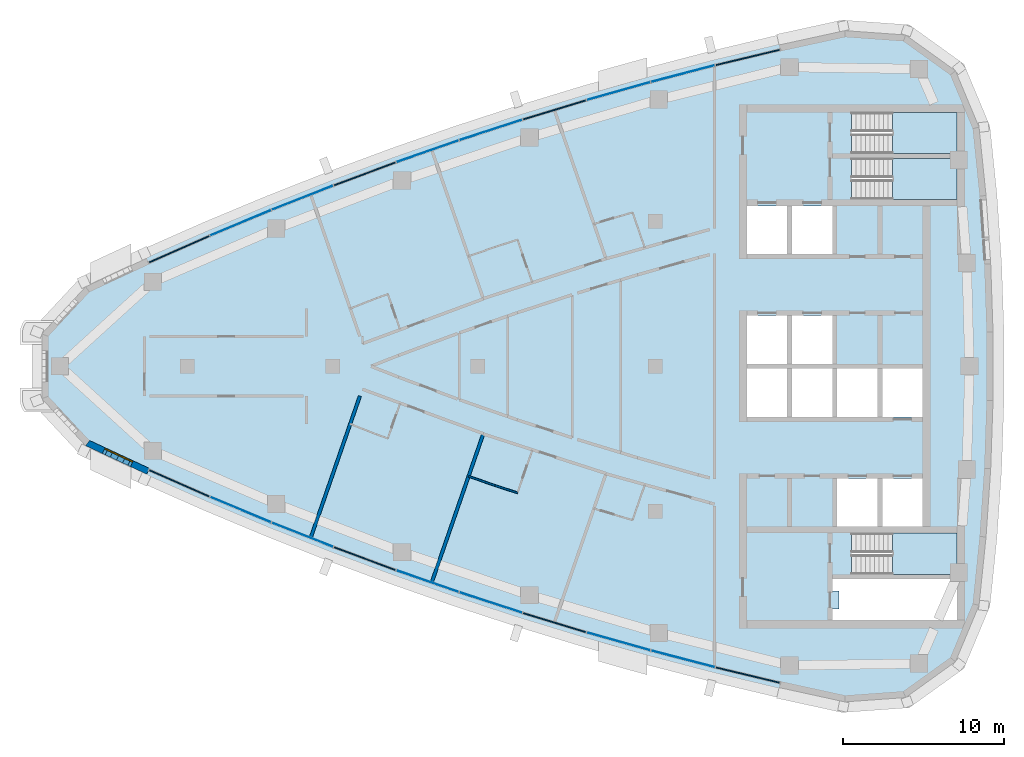
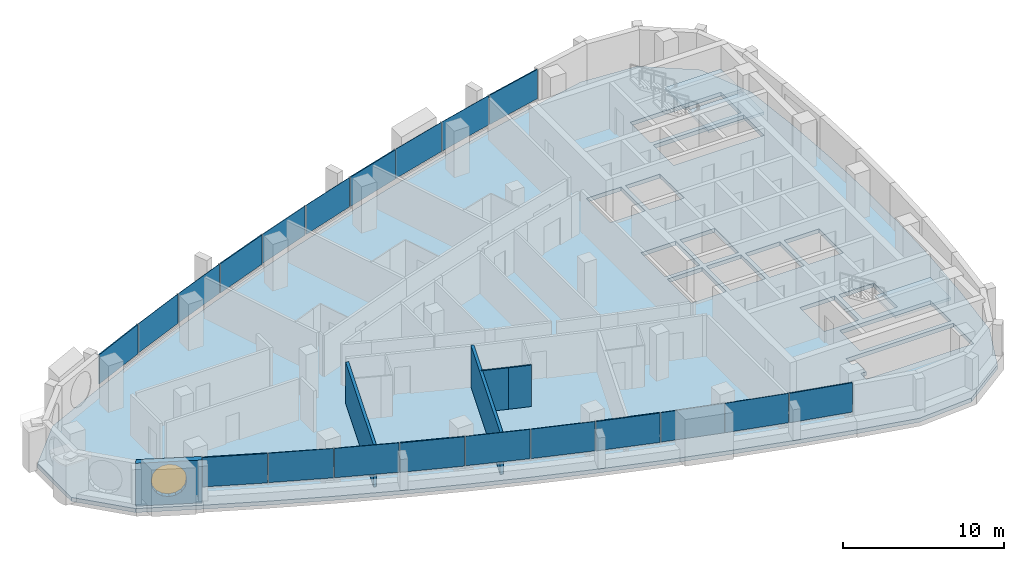
# One storey, part 6 of 14: 20 plates, 5 walls, 4 slabs, 1 window, 2 openings, 13 elements without a shape of their own.
"""IFC4 building model written with IfcOpenShell, lengths in metres."""

import ifcopenshell
import ifcopenshell.guid

model = None  # the IFC model being written
_history = None  # IfcOwnerHistory: only IFC2X3 demands one
_inside = {}  # id of a spatial element -> (the spatial element, [elements in it])
_under = {}  # id of a project, library or spatial element -> (it, [spatial elements below it])
_declared = {}  # id of a project -> (the project, [libraries it declares])
_typed = {}  # id of a type object -> (the type object, [elements of that type])
_made_of = {}  # id of a material, layer set ... -> (it, [elements and type objects made of it])


def new_model(schema):
    """Start an empty IFC model of exactly this schema.

    Asked for "IFC4X3", IfcOpenShell would pick the latest addendum, in which some entities
    have other attributes; the version numbers below select the first issue.
    IFC2X3 requires an IfcOwnerHistory on every rooted entity: one is made here for all.
    """
    global model, _history
    if schema == "IFC4X3":
        model = ifcopenshell.file(schema_version=(4, 3, 0, 0))
    else:
        model = ifcopenshell.file(schema=schema)
    _inside.clear()
    _under.clear()
    _declared.clear()
    _typed.clear()
    _made_of.clear()
    _history = None
    if model.schema == "IFC2X3":
        org = make("IfcOrganization", Name="unknown")
        user = make(
            "IfcPersonAndOrganization",
            ThePerson=make("IfcPerson", FamilyName="unknown"),
            TheOrganization=org,
        )
        app = make(
            "IfcApplication",
            ApplicationDeveloper=org,
            Version="unknown",
            ApplicationFullName="unknown",
            ApplicationIdentifier="unknown",
        )
        _history = make(
            "IfcOwnerHistory",
            OwningUser=user,
            OwningApplication=app,
            ChangeAction="ADDED",
            CreationDate=0,
        )
    return model


def make(cls, **values):
    """One entity of the class cls with the attributes given. An attribute that is None is left unset."""
    return model.create_entity(
        cls, **{name: value for name, value in values.items() if value is not None}
    )


def rooted(cls, **values):
    """An entity with a GlobalId (a new one), such as an element, a storey or a relation."""
    return make(cls, GlobalId=ifcopenshell.guid.new(), OwnerHistory=_history, **values)


def si_unit(unit_type, name, prefix=None):
    """IfcSIUnit, for example si_unit("LENGTHUNIT", "METRE", prefix="MILLI")."""
    return make("IfcSIUnit", UnitType=unit_type, Prefix=prefix, Name=name)


def assignment(units):
    """IfcUnitAssignment: the units of a project."""
    return None if units is None else make("IfcUnitAssignment", Units=units)


def point(xyz):
    """IfcCartesianPoint."""
    return None if xyz is None else make("IfcCartesianPoint", Coordinates=xyz)


def direction(xyz):
    """IfcDirection."""
    return None if xyz is None else make("IfcDirection", DirectionRatios=xyz)


def frame(location, z_axis=None, x_axis=None):
    """IfcAxis2Placement3D, a coordinate frame: its origin and axes. An axis left out is left unset."""
    return make(
        "IfcAxis2Placement3D",
        Location=point(location),
        Axis=direction(z_axis),
        RefDirection=direction(x_axis),
    )


def frame_2d(location, x_axis=None):
    """IfcAxis2Placement2D, a coordinate frame in the plane: its origin and x axis."""
    return make(
        "IfcAxis2Placement2D", Location=point(location), RefDirection=direction(x_axis)
    )


def origin():
    """The frame at (0, 0, 0) with its axes left unset."""
    return frame((0.0, 0.0, 0.0))


def origin_2d():
    """The frame at (0, 0) in the plane with its x axis left unset."""
    return frame_2d((0.0, 0.0))


def place(relative_to, where):
    """IfcLocalPlacement: puts the frame where relative to a parent placement (None: the world)."""
    return make(
        "IfcLocalPlacement", PlacementRelTo=relative_to, RelativePlacement=where
    )


def context(
    kind, dimensions, precision=None, world=None, true_north=None, identifier=None
):
    """IfcGeometricRepresentationContext, for example the 3D "Model" context."""
    return make(
        "IfcGeometricRepresentationContext",
        ContextIdentifier=identifier,
        ContextType=kind,
        CoordinateSpaceDimension=dimensions,
        Precision=precision,
        WorldCoordinateSystem=world,
        TrueNorth=true_north,
    )


def subcontext(parent, identifier, kind, view, scale=None):
    """IfcGeometricRepresentationSubContext, for example "Body" below "Model"."""
    return make(
        "IfcGeometricRepresentationSubContext",
        ContextIdentifier=identifier,
        ContextType=kind,
        ParentContext=parent,
        TargetScale=scale,
        TargetView=view,
    )


def project(units=None, contexts=None):
    """IfcProject with its units and contexts."""
    return rooted(
        "IfcProject",
        Name="project",
        RepresentationContexts=contexts,
        UnitsInContext=assignment(units),
    )


def spatial(cls, under=None, at=None, **own):
    """A site, building, storey or space (cls), placed at a placement, below another one or the project."""
    s = rooted(cls, ObjectPlacement=at, **own)
    if under is not None:
        _under.setdefault(under.id(), (under, []))[1].append(s)
    return s


def polyline(points):
    """IfcPolyline through the points."""
    return make("IfcPolyline", Points=[point(p) for p in points])


def profile(cls, at=None, kind="AREA", **sizes):
    """A parametric profile (cls). Its sizes go by their IFC names, for example OverallWidth=200.0."""
    return make(cls, ProfileType=kind, Position=at, **sizes)


def rectangle(**sizes):
    """IfcRectangleProfileDef."""
    return profile("IfcRectangleProfileDef", **sizes)


def outline(outer, holes=None, kind="AREA"):
    """IfcArbitraryClosedProfileDef: a profile drawn as a closed curve; with holes, ...WithVoids."""
    if holes is None:
        return make("IfcArbitraryClosedProfileDef", ProfileType=kind, OuterCurve=outer)
    return make(
        "IfcArbitraryProfileDefWithVoids",
        ProfileType=kind,
        OuterCurve=outer,
        InnerCurves=holes,
    )


def extrude(swept, where, along, depth):
    """IfcExtrudedAreaSolid: the profile swept, set in the frame where, extruded along a direction by depth."""
    return make(
        "IfcExtrudedAreaSolid",
        SweptArea=swept,
        Position=where,
        ExtrudedDirection=direction(along),
        Depth=depth,
    )


def shape(context_of_items, identifier, shape_type, items):
    """IfcShapeRepresentation: the items that make up one representation, for example the "Body"."""
    return make(
        "IfcShapeRepresentation",
        ContextOfItems=context_of_items,
        RepresentationIdentifier=identifier,
        RepresentationType=shape_type,
        Items=items,
    )


def material(Name=None, Category=None):
    """IfcMaterial."""
    return make("IfcMaterial", Name=Name, Category=Category)


def layer(
    of_material, thickness, ventilated=None, Name=None, Category=None, Priority=None
):
    """IfcMaterialLayer: one layer of a wall or slab, of a material (None: an air gap)."""
    return make(
        "IfcMaterialLayer",
        Material=of_material,
        LayerThickness=thickness,
        IsVentilated=ventilated,
        Name=Name,
        Category=Category,
        Priority=Priority,
    )


def layer_set(layers, Name=None):
    """IfcMaterialLayerSet."""
    return make("IfcMaterialLayerSet", MaterialLayers=layers, LayerSetName=Name)


def made_of(thing, what):
    """Note that an element or type object is made of a material, layer set ...; save() writes the relation."""
    if what is not None:
        _made_of.setdefault(what.id(), (what, []))[1].append(thing)
    return thing


def type_object(cls, material=None, **own):
    """A type object (cls), such as IfcWallType, which elements share."""
    return made_of(rooted(cls, **own), material)


def element(
    cls,
    number,
    at=None,
    inside=None,
    cuts=None,
    type_object=None,
    material=None,
    context=None,
    identifier="Body",
    shape_type=None,
    held_by="IfcProductDefinitionShape",
    body=None,
    shapes=None,
    **own,
):
    """One element of the class cls, such as IfcWall. Its Tag is "e" and its number.

    at: its placement. inside: the storey or other place that contains it. cuts: it is an
    opening in that element (IfcRelVoidsElement). A single representation is given by context,
    identifier, shape_type and body (its items); several are given by shapes. held_by: the class
    of the entity that holds the representations. save() writes the other relations.
    """
    e = rooted(cls, Tag="e%d" % number, ObjectPlacement=at, **own)
    if body is not None:
        shapes = [shape(context, identifier, shape_type, body)]
    if shapes is not None:
        e.Representation = make(held_by, Representations=shapes)
    if inside is not None:
        _inside.setdefault(inside.id(), (inside, []))[1].append(e)
    if cuts is not None:
        rooted(
            "IfcRelVoidsElement", RelatingBuildingElement=cuts, RelatedOpeningElement=e
        )
    if type_object is not None:
        _typed.setdefault(type_object.id(), (type_object, []))[1].append(e)
    return made_of(e, material)


def fill(opening, filler):
    """IfcRelFillsElement: the door or window that sits in an opening."""
    return rooted(
        "IfcRelFillsElement",
        RelatingOpeningElement=opening,
        RelatedBuildingElement=filler,
    )


def aggregate(whole, parts):
    """IfcRelAggregates: a whole, such as a stair, and the parts it consists of."""
    return rooted("IfcRelAggregates", RelatingObject=whole, RelatedObjects=parts)


def save(model, path):
    """Write the relations noted so far, then the file.

    IfcRelAggregates (storeys below a building ...), IfcRelContainedInSpatialStructure (elements
    in a storey), IfcRelDefinesByType, IfcRelAssociatesMaterial and IfcRelDeclares: one each for
    every whole, place, type object, material and project.
    """
    for whole, parts in _under.values():
        aggregate(whole, parts)
    for where, things in _inside.values():
        rooted(
            "IfcRelContainedInSpatialStructure",
            RelatedElements=things,
            RelatingStructure=where,
        )
    for kind, things in _typed.values():
        rooted("IfcRelDefinesByType", RelatedObjects=things, RelatingType=kind)
    for what, things in _made_of.values():
        rooted("IfcRelAssociatesMaterial", RelatedObjects=things, RelatingMaterial=what)
    for by, libraries in _declared.values():
        rooted("IfcRelDeclares", RelatingContext=by, RelatedDefinitions=libraries)
    model.write(path)


model = new_model("IFC4")

# Units and contexts
model_context = context("Model", 3, precision=1e-05, world=origin(), true_north=direction((0.0, 1.0)))
body_context = subcontext(model_context, "Body", "Model", "MODEL_VIEW")
ifc_project = project(units=[si_unit("LENGTHUNIT", "METRE"), si_unit("AREAUNIT", "SQUARE_METRE"), si_unit("VOLUMEUNIT", "CUBIC_METRE"), si_unit("PLANEANGLEUNIT", "RADIAN"), si_unit("MASSUNIT", "GRAM", prefix="KILO")], contexts=[model_context])

# Site, building, storey
site_placement = place(None, origin())
site = spatial("IfcSite", under=ifc_project, at=site_placement, CompositionType="ELEMENT")
building_placement = place(site_placement, origin())
building = spatial("IfcBuilding", under=site, at=building_placement, Name="Ostrand Prow Hotel Tower", CompositionType="ELEMENT")
storey_placement = place(building_placement, frame((0.0, 0.0, 299.85009765625)))
storey = spatial("IfcBuildingStorey", under=building, at=storey_placement, Name="L76", CompositionType="ELEMENT", Elevation=299.85009765625)

# Curtain wall, plate
ifc_material_1 = material(Name="Insulated glass in bronze anodised frame", Category="glass")
ifc_layer_1 = layer(ifc_material_1, 0.199951171875)
ifc_layer_set_1 = layer_set([ifc_layer_1], Name="Insulated glass in bronze anodised frame")
curtain_wall_type = type_object("IfcCurtainWallType", Name="Strip curtain wall, fritted glass over bronze spandrel", PredefinedType="NOTDEFINED", material=ifc_layer_set_1)
curtain_wall_1_placement = place(storey_placement, origin())
curtain_wall_1 = element("IfcCurtainWall", 1, at=curtain_wall_1_placement, inside=storey, type_object=curtain_wall_type, Name="CW1 run CWS1", PredefinedType="NOTDEFINED")
ifc_material_2 = material(Name="Ceramic-fritted glass", Category="glass")
ifc_layer_2 = layer(ifc_material_2, 0.031982421875)
ifc_layer_set_2 = layer_set([ifc_layer_2], Name="Ceramic-fritted glass")
plate_type_1 = type_object("IfcPlateType", Name="Dot-fritted ceramic glass unit 32 mm", PredefinedType="CURTAIN_PANEL", material=ifc_layer_set_2)
plate_1_placement = place(storey_placement, frame((19.297119140625, -8.893798828125, 1.02001953125), z_axis=(0.0, 0.0, 1.0), x_axis=(0.922719840955, -0.385471263659, 0.0)))
plate_1 = element("IfcPlate", 2, at=plate_1_placement, type_object=plate_type_1, Name="CW1 PN-D panel 2.2", PredefinedType="CURTAIN_PANEL", context=body_context, shape_type="SweptSolid", body=[
    extrude(rectangle(XDim=4.079833984375, YDim=0.031982421875, at=origin_2d()), origin(), (0.0, 0.0, 1.0), 2.22998046875),
])

curtain_wall_2_placement = place(storey_placement, origin())
curtain_wall_2 = element("IfcCurtainWall", 3, at=curtain_wall_2_placement, inside=storey, type_object=curtain_wall_type, Name="CW1 run CWS2", PredefinedType="NOTDEFINED")
plate_2_placement = place(storey_placement, frame((23.132568359375, -10.450927734375, 1.02001953125), z_axis=(0.0, 0.0, 1.0), x_axis=(0.930281895249, -0.366845465248, 0.0)))
plate_2 = element("IfcPlate", 4, at=plate_2_placement, type_object=plate_type_1, Name="CW1 PN-D panel 1.2", PredefinedType="CURTAIN_PANEL", context=body_context, shape_type="SweptSolid", body=[
    extrude(rectangle(XDim=4.079833984375, YDim=0.031982421875, at=origin_2d()), origin(), (0.0, 0.0, 1.0), 2.22998046875),
])

# Curtain wall, plates
curtain_wall_3_placement = place(storey_placement, origin())
curtain_wall_3 = element("IfcCurtainWall", 5, at=curtain_wall_3_placement, inside=storey, type_object=curtain_wall_type, Name="CW1 run CWS3", PredefinedType="NOTDEFINED")
plate_3_placement = place(storey_placement, frame((30.8935546875, -13.33251953125, 1.02001953125), z_axis=(0.0, 0.0, 1.0), x_axis=(0.944274730614, -0.329158370885, 0.0)))
plate_3 = element("IfcPlate", 6, at=plate_3_placement, type_object=plate_type_1, Name="CW1 PN-D panel 1.2", PredefinedType="CURTAIN_PANEL", context=body_context, shape_type="SweptSolid", body=[
    extrude(rectangle(XDim=4.079833984375, YDim=0.031982421875, at=origin_2d()), origin(), (0.0, 0.0, 1.0), 2.22998046875),
])
plate_4_placement = place(storey_placement, frame((34.81591796875, -14.65576171875, 1.02001953125), z_axis=(0.0, 0.0, 1.0), x_axis=(0.950700464612, -0.310110668289, 0.0)))
plate_4 = element("IfcPlate", 7, at=plate_4_placement, type_object=plate_type_1, Name="CW1 PN-D panel 2.2", PredefinedType="CURTAIN_PANEL", context=body_context, shape_type="SweptSolid", body=[
    extrude(rectangle(XDim=4.079833984375, YDim=0.031982421875, at=origin_2d()), origin(), (0.0, 0.0, 1.0), 2.22998046875),
])
aggregate(curtain_wall_3, [plate_3, plate_4])

# Curtain wall, plate
curtain_wall_4_placement = place(storey_placement, origin())
curtain_wall_4 = element("IfcCurtainWall", 8, at=curtain_wall_4_placement, inside=storey, type_object=curtain_wall_type, Name="CW1 run CWS4", PredefinedType="NOTDEFINED")
plate_5_placement = place(storey_placement, frame((42.736572265625, -17.064453125, 1.02001953125), z_axis=(0.0, 0.0, 1.0), x_axis=(0.962396468548, -0.271648738865, 0.0)))
plate_5 = element("IfcPlate", 9, at=plate_5_placement, type_object=plate_type_1, Name="CW1 PN-D panel 2.2", PredefinedType="CURTAIN_PANEL", context=body_context, shape_type="SweptSolid", body=[
    extrude(rectangle(XDim=4.079833984375, YDim=0.031982421875, at=origin_2d()), origin(), (0.0, 0.0, 1.0), 2.22998046875),
])

curtain_wall_5_placement = place(storey_placement, origin())
curtain_wall_5 = element("IfcCurtainWall", 10, at=curtain_wall_5_placement, inside=storey, type_object=curtain_wall_type, Name="CW1 run CWS5", PredefinedType="NOTDEFINED")
plate_6_placement = place(storey_placement, frame((46.731689453125, -18.148681640625, 1.02001953125), z_axis=(0.0, 0.0, 1.0), x_axis=(0.967662519855, -0.252248384867, 0.0)))
plate_6 = element("IfcPlate", 11, at=plate_6_placement, type_object=plate_type_1, Name="CW1 PN-D panel 1.2", PredefinedType="CURTAIN_PANEL", context=body_context, shape_type="SweptSolid", body=[
    extrude(rectangle(XDim=4.079833984375, YDim=0.031982421875, at=origin_2d()), origin(), (0.0, 0.0, 1.0), 2.22998046875),
])

curtain_wall_6_placement = place(storey_placement, origin())
curtain_wall_6 = element("IfcCurtainWall", 12, at=curtain_wall_6_placement, inside=storey, type_object=curtain_wall_type, Name="CW1 run CWN1", PredefinedType="NOTDEFINED")
plate_7_placement = place(storey_placement, frame((46.731689453125, 18.148681640625, 1.02001953125), z_axis=(0.0, 0.0, 1.0), x_axis=(-0.967662519855, -0.252248384867, 0.0)))
plate_7 = element("IfcPlate", 13, at=plate_7_placement, type_object=plate_type_1, Name="CW1 PN-D panel 2.2", PredefinedType="CURTAIN_PANEL", context=body_context, shape_type="SweptSolid", body=[
    extrude(rectangle(XDim=4.079833984375, YDim=0.031982421875, at=origin_2d()), origin(), (0.0, 0.0, 1.0), 2.22998046875),
])

curtain_wall_7_placement = place(storey_placement, origin())
curtain_wall_7 = element("IfcCurtainWall", 14, at=curtain_wall_7_placement, inside=storey, type_object=curtain_wall_type, Name="CW1 run CWN2", PredefinedType="NOTDEFINED")
plate_8_placement = place(storey_placement, frame((42.736572265625, 17.064453125, 1.02001953125), z_axis=(0.0, 0.0, 1.0), x_axis=(-0.962396468548, -0.271648738865, 0.0)))
plate_8 = element("IfcPlate", 15, at=plate_8_placement, type_object=plate_type_1, Name="CW1 PN-D panel 1.2", PredefinedType="CURTAIN_PANEL", context=body_context, shape_type="SweptSolid", body=[
    extrude(rectangle(XDim=4.079833984375, YDim=0.031982421875, at=origin_2d()), origin(), (0.0, 0.0, 1.0), 2.22998046875),
])

# Curtain wall, plates
curtain_wall_8_placement = place(storey_placement, origin())
curtain_wall_8 = element("IfcCurtainWall", 16, at=curtain_wall_8_placement, inside=storey, type_object=curtain_wall_type, Name="CW1 run CWN3", PredefinedType="NOTDEFINED")
plate_9_placement = place(storey_placement, frame((34.81591796875, 14.65576171875, 1.02001953125), z_axis=(0.0, 0.0, 1.0), x_axis=(-0.950700464612, -0.310110668289, 0.0)))
plate_9 = element("IfcPlate", 17, at=plate_9_placement, type_object=plate_type_1, Name="CW1 PN-D panel 1.2", PredefinedType="CURTAIN_PANEL", context=body_context, shape_type="SweptSolid", body=[
    extrude(rectangle(XDim=4.079833984375, YDim=0.031982421875, at=origin_2d()), origin(), (0.0, 0.0, 1.0), 2.22998046875),
])
plate_10_placement = place(storey_placement, frame((30.8935546875, 13.33251953125, 1.02001953125), z_axis=(0.0, 0.0, 1.0), x_axis=(-0.944274730614, -0.329158370885, 0.0)))
plate_10 = element("IfcPlate", 18, at=plate_10_placement, type_object=plate_type_1, Name="CW1 PN-D panel 2.2", PredefinedType="CURTAIN_PANEL", context=body_context, shape_type="SweptSolid", body=[
    extrude(rectangle(XDim=4.079833984375, YDim=0.031982421875, at=origin_2d()), origin(), (0.0, 0.0, 1.0), 2.22998046875),
])
aggregate(curtain_wall_8, [plate_9, plate_10])

# Curtain wall, plate
curtain_wall_9_placement = place(storey_placement, origin())
curtain_wall_9 = element("IfcCurtainWall", 19, at=curtain_wall_9_placement, inside=storey, type_object=curtain_wall_type, Name="CW1 run CWN4", PredefinedType="NOTDEFINED")
plate_11_placement = place(storey_placement, frame((23.132568359375, 10.450927734375, 1.02001953125), z_axis=(0.0, 0.0, 1.0), x_axis=(-0.930281895249, -0.366845465248, 0.0)))
plate_11 = element("IfcPlate", 20, at=plate_11_placement, type_object=plate_type_1, Name="CW1 PN-D panel 2.2", PredefinedType="CURTAIN_PANEL", context=body_context, shape_type="SweptSolid", body=[
    extrude(rectangle(XDim=4.079833984375, YDim=0.031982421875, at=origin_2d()), origin(), (0.0, 0.0, 1.0), 2.22998046875),
])

curtain_wall_10_placement = place(storey_placement, origin())
curtain_wall_10 = element("IfcCurtainWall", 21, at=curtain_wall_10_placement, inside=storey, type_object=curtain_wall_type, Name="CW1 run CWN5", PredefinedType="NOTDEFINED")
plate_12_placement = place(storey_placement, frame((19.297119140625, 8.893798828125, 1.02001953125), z_axis=(0.0, 0.0, 1.0), x_axis=(-0.922719840955, -0.385471263659, 0.0)))
plate_12 = element("IfcPlate", 22, at=plate_12_placement, type_object=plate_type_1, Name="CW1 PN-D panel 1.2", PredefinedType="CURTAIN_PANEL", context=body_context, shape_type="SweptSolid", body=[
    extrude(rectangle(XDim=4.079833984375, YDim=0.031982421875, at=origin_2d()), origin(), (0.0, 0.0, 1.0), 2.22998046875),
])

# Plate
ifc_material_3 = material(Name="Fritted glass in bronze vent frame", Category="glass")
ifc_layer_3 = layer(ifc_material_3, 0.080078125)
ifc_layer_set_3 = layer_set([ifc_layer_3], Name="Fritted glass in bronze vent frame")
plate_type_2 = type_object("IfcPlateType", Name="Operable vent panel 80 mm", PredefinedType="CURTAIN_PANEL", material=ifc_layer_set_3)
plate_13_placement = place(storey_placement, frame((15.493408203125, -7.259765625, 1.02001953125), z_axis=(0.0, 0.0, 1.0), x_axis=(0.914785615941, -0.403939694592, 0.0)))
plate_13 = element("IfcPlate", 23, at=plate_13_placement, type_object=plate_type_2, Name="CW1 PN-O2 panel 1.2", PredefinedType="CURTAIN_PANEL", context=body_context, shape_type="SweptSolid", body=[
    extrude(rectangle(XDim=4.079833984375, YDim=0.080078125, at=origin_2d()), origin(), (0.0, 0.0, 1.0), 2.22998046875),
])

aggregate(curtain_wall_1, [plate_13, plate_1])

plate_14_placement = place(storey_placement, frame((26.99853515625, -11.930908203125, 1.02001953125), z_axis=(0.0, 0.0, 1.0), x_axis=(0.937468017947, -0.348071422738, 0.0)))
plate_14 = element("IfcPlate", 24, at=plate_14_placement, type_object=plate_type_2, Name="CW1 PN-O2 panel 2.2", PredefinedType="CURTAIN_PANEL", context=body_context, shape_type="SweptSolid", body=[
    extrude(rectangle(XDim=4.079833984375, YDim=0.080078125, at=origin_2d()), origin(), (0.0, 0.0, 1.0), 2.22998046875),
])

aggregate(curtain_wall_2, [plate_2, plate_14])

plate_15_placement = place(storey_placement, frame((38.76416015625, -15.89990234375, 1.02001953125), z_axis=(0.0, 0.0, 1.0), x_axis=(0.956742015769, -0.290937648411, 0.0)))
plate_15 = element("IfcPlate", 25, at=plate_15_placement, type_object=plate_type_2, Name="CW1 PN-O2 panel 1.2", PredefinedType="CURTAIN_PANEL", context=body_context, shape_type="SweptSolid", body=[
    extrude(rectangle(XDim=4.079833984375, YDim=0.080078125, at=origin_2d()), origin(), (0.0, 0.0, 1.0), 2.22998046875),
])

aggregate(curtain_wall_4, [plate_15, plate_5])

plate_16_placement = place(storey_placement, frame((50.74755859375, -19.152587890625, 1.02001953125), z_axis=(0.0, 0.0, 1.0), x_axis=(0.972537533869, -0.232746096028, 0.0)))
plate_16 = element("IfcPlate", 26, at=plate_16_placement, type_object=plate_type_2, Name="CW1 PN-O2 panel 2.2", PredefinedType="CURTAIN_PANEL", context=body_context, shape_type="SweptSolid", body=[
    extrude(rectangle(XDim=4.079833984375, YDim=0.080078125, at=origin_2d()), origin(), (0.0, 0.0, 1.0), 2.22998046875),
])

aggregate(curtain_wall_5, [plate_6, plate_16])

plate_17_placement = place(storey_placement, frame((50.74755859375, 19.152587890625, 1.02001953125), z_axis=(0.0, 0.0, 1.0), x_axis=(-0.972537533869, -0.232746096028, 0.0)))
plate_17 = element("IfcPlate", 27, at=plate_17_placement, type_object=plate_type_2, Name="CW1 PN-O2 panel 1.2", PredefinedType="CURTAIN_PANEL", context=body_context, shape_type="SweptSolid", body=[
    extrude(rectangle(XDim=4.079833984375, YDim=0.080078125, at=origin_2d()), origin(), (0.0, 0.0, 1.0), 2.22998046875),
])

aggregate(curtain_wall_6, [plate_17, plate_7])

plate_18_placement = place(storey_placement, frame((38.76416015625, 15.89990234375, 1.02001953125), z_axis=(0.0, 0.0, 1.0), x_axis=(-0.956742015769, -0.290937648411, 0.0)))
plate_18 = element("IfcPlate", 28, at=plate_18_placement, type_object=plate_type_2, Name="CW1 PN-O2 panel 2.2", PredefinedType="CURTAIN_PANEL", context=body_context, shape_type="SweptSolid", body=[
    extrude(rectangle(XDim=4.079833984375, YDim=0.080078125, at=origin_2d()), origin(), (0.0, 0.0, 1.0), 2.22998046875),
])

aggregate(curtain_wall_7, [plate_8, plate_18])

plate_19_placement = place(storey_placement, frame((26.99853515625, 11.930908203125, 1.02001953125), z_axis=(0.0, 0.0, 1.0), x_axis=(-0.937468017947, -0.348071422738, 0.0)))
plate_19 = element("IfcPlate", 29, at=plate_19_placement, type_object=plate_type_2, Name="CW1 PN-O2 panel 1.2", PredefinedType="CURTAIN_PANEL", context=body_context, shape_type="SweptSolid", body=[
    extrude(rectangle(XDim=4.079833984375, YDim=0.080078125, at=origin_2d()), origin(), (0.0, 0.0, 1.0), 2.22998046875),
])

aggregate(curtain_wall_9, [plate_19, plate_11])

plate_20_placement = place(storey_placement, frame((15.493408203125, 7.259765625, 1.02001953125), z_axis=(0.0, 0.0, 1.0), x_axis=(-0.914785615941, -0.403939694592, 0.0)))
plate_20 = element("IfcPlate", 30, at=plate_20_placement, type_object=plate_type_2, Name="CW1 PN-O2 panel 2.2", PredefinedType="CURTAIN_PANEL", context=body_context, shape_type="SweptSolid", body=[
    extrude(rectangle(XDim=4.079833984375, YDim=0.080078125, at=origin_2d()), origin(), (0.0, 0.0, 1.0), 2.22998046875),
])

aggregate(curtain_wall_10, [plate_12, plate_20])

# Slab, opening
ifc_material_4 = material(Name="Concrete C40/50", Category="concrete")
ifc_layer_4 = layer(ifc_material_4, 0.300048828125)
ifc_layer_set_4 = layer_set([ifc_layer_4], Name="Concrete C40/50")
slab_type_1 = type_object("IfcSlabType", Name="PT flat plate 300 C40/50", PredefinedType="FLOOR", material=ifc_layer_set_4)
slab_1_placement = place(storey_placement, frame((0.0, 0.0, -0.300048828125)))
slab_1 = element("IfcSlab", 31, at=slab_1_placement, inside=storey, type_object=slab_type_1, Name="Floor slab L76-1", PredefinedType="FLOOR", context=body_context, shape_type="SweptSolid", body=[
    extrude(outline(polyline([(9.560791015625, 5.168212890625), (13.365478515625, 6.9404296875), (17.1630859375, 8.6171875), (20.993408203125, 10.21728515625), (24.855224609375, 11.740234375), (28.746826171875, 13.185302734375), (32.666748046875, 14.551513671875), (36.61328125, 15.8388671875), (40.5849609375, 17.046630859375), (44.580078125, 18.17431640625), (48.596923828125, 19.221435546875), (52.634033203125, 20.187744140625), (56.72265625, 21.07958984375), (60.634765625, 20.80029296875), (63.84765625, 18.49072265625), (65.35888671875, 14.87060546875), (65.796875, 10.611083984375), (66.0869140625, 6.37158203125), (66.23193359375, 2.124755859375), (66.23193359375, -2.124755859375), (66.0869140625, -6.37158203125), (65.796875, -10.611083984375), (65.35888671875, -14.87060546875), (63.84765625, -18.49072265625), (60.634765625, -20.80029296875), (56.72265625, -21.07958984375), (52.634033203125, -20.187744140625), (48.596923828125, -19.221435546875), (44.580078125, -18.17431640625), (40.5849609375, -17.046630859375), (36.61328125, -15.8388671875), (32.666748046875, -14.551513671875), (28.746826171875, -13.185302734375), (24.855224609375, -11.740234375), (20.993408203125, -10.21728515625), (17.1630859375, -8.6171875), (13.365478515625, -6.9404296875), (9.560791015625, -5.168212890625), (6.71484375, -2.112548828125), (6.71484375, 2.112548828125), (9.560791015625, 5.168212890625)]), holes=[polyline([(50.699951171875, 6.949951171875), (53.199951171875, 6.949951171875), (53.199951171875, 9.949951171875), (50.699951171875, 9.949951171875), (50.699951171875, 6.949951171875)]), polyline([(53.5, 6.949951171875), (56.0, 6.949951171875), (56.0, 9.949951171875), (53.5, 9.949951171875), (53.5, 6.949951171875)]), polyline([(50.699951171875, 0.14990234375), (53.199951171875, 0.14990234375), (53.199951171875, 3.14990234375), (50.699951171875, 3.14990234375), (50.699951171875, 0.14990234375)]), polyline([(53.5, 0.14990234375), (56.0, 0.14990234375), (56.0, 3.14990234375), (53.5, 3.14990234375), (53.5, 0.14990234375)]), polyline([(50.699951171875, -3.14990234375), (53.199951171875, -3.14990234375), (53.199951171875, -0.14990234375), (50.699951171875, -0.14990234375), (50.699951171875, -3.14990234375)]), polyline([(53.5, -3.14990234375), (56.0, -3.14990234375), (56.0, -0.14990234375), (53.5, -0.14990234375), (53.5, -3.14990234375)]), polyline([(56.300048828125, -3.14990234375), (58.800048828125, -3.14990234375), (58.800048828125, -0.14990234375), (56.300048828125, -0.14990234375), (56.300048828125, -3.14990234375)]), polyline([(59.10009765625, -3.14990234375), (61.60009765625, -3.14990234375), (61.60009765625, -0.14990234375), (59.10009765625, -0.14990234375), (59.10009765625, -3.14990234375)]), polyline([(56.300048828125, -9.949951171875), (58.800048828125, -9.949951171875), (58.800048828125, -6.949951171875), (56.300048828125, -6.949951171875), (56.300048828125, -9.949951171875)]), polyline([(59.10009765625, -9.949951171875), (61.60009765625, -9.949951171875), (61.60009765625, -6.949951171875), (59.10009765625, -6.949951171875), (59.10009765625, -9.949951171875)]), polyline([(57.200927734375, 10.35107421875), (57.200927734375, 12.89892578125), (63.718994140625, 12.89892578125), (63.718994140625, 10.35107421875), (57.200927734375, 10.35107421875)]), polyline([(57.200927734375, 13.200927734375), (57.200927734375, 15.7490234375), (63.718994140625, 15.7490234375), (63.718994140625, 13.200927734375), (57.200927734375, 13.200927734375)]), polyline([(57.200927734375, -12.89892578125), (57.200927734375, -10.35107421875), (63.718994140625, -10.35107421875), (63.718994140625, -12.89892578125), (57.200927734375, -12.89892578125)]), polyline([(56.0, -13.949951171875), (56.0, -13.199951171875), (63.719970703125, -13.199951171875), (63.719970703125, -15.75), (56.0, -15.75), (56.0, -15.050048828125), (56.39990234375, -15.050048828125), (56.39990234375, -13.949951171875), (56.0, -13.949951171875)])]), origin(), (0.0, 0.0, 1.0), 0.300048828125),
])
opening_1_placement = place(slab_1_placement, origin())
element("IfcOpeningElement", 32, at=opening_1_placement, cuts=slab_1, Name="Shaft opening 1", PredefinedType="OPENING", context=body_context, shape_type="SweptSolid", body=[
    extrude(outline(polyline([(56.0, -13.949951171875), (56.0, -13.199951171875), (63.719970703125, -13.199951171875), (63.719970703125, -15.75), (56.0, -15.75), (56.0, -15.050048828125), (56.39990234375, -15.050048828125), (56.39990234375, -13.949951171875), (56.0, -13.949951171875)])), origin(), (0.0, 0.0, 1.0), 0.300048828125),
])

# Stair, slab
ifc_material_5 = material(Name="Concrete C40/50", Category="concrete")
stair_type = type_object("IfcStairType", Name="Exit stair 1200 upper zone", PredefinedType="HALF_TURN_STAIR", material=ifc_material_5)
stair_1_placement = place(storey_placement, origin())
stair_1 = element("IfcStair", 33, at=stair_1_placement, inside=storey, type_object=stair_type, Name="L76 ST1C", PredefinedType="HALF_TURN_STAIR")
ifc_material_6 = material(Name="Concrete C40/50", Category="concrete")
ifc_layer_5 = layer(ifc_material_6, 0.199951171875)
ifc_layer_set_5 = layer_set([ifc_layer_5], Name="Concrete C40/50")
slab_type_2 = type_object("IfcSlabType", Name="Stair landing 200 concrete", PredefinedType="LANDING", material=ifc_layer_set_5)
slab_2_placement = place(storey_placement, frame((0.0, 0.0, 1.574951171875)))
slab_2 = element("IfcSlab", 34, at=slab_2_placement, type_object=slab_type_2, Name="ST1C landing 1", PredefinedType="LANDING", context=body_context, shape_type="SweptSolid", body=[
    extrude(outline(polyline([(59.719970703125, 10.35009765625), (63.719970703125, 10.35009765625), (63.719970703125, 12.89990234375), (59.719970703125, 12.89990234375), (59.719970703125, 10.35009765625)])), origin(), (0.0, 0.0, 1.0), 0.199951171875),
])
aggregate(stair_1, [slab_2])

stair_2_placement = place(storey_placement, origin())
stair_2 = element("IfcStair", 35, at=stair_2_placement, inside=storey, type_object=stair_type, Name="L76 ST3C", PredefinedType="HALF_TURN_STAIR")
slab_3_placement = place(storey_placement, frame((0.0, 0.0, 1.574951171875)))
slab_3 = element("IfcSlab", 36, at=slab_3_placement, type_object=slab_type_2, Name="ST3C landing 1", PredefinedType="LANDING", context=body_context, shape_type="SweptSolid", body=[
    extrude(outline(polyline([(59.719970703125, 13.199951171875), (63.719970703125, 13.199951171875), (63.719970703125, 15.75), (59.719970703125, 15.75), (59.719970703125, 13.199951171875)])), origin(), (0.0, 0.0, 1.0), 0.199951171875),
])
aggregate(stair_2, [slab_3])

stair_3_placement = place(storey_placement, origin())
stair_3 = element("IfcStair", 37, at=stair_3_placement, inside=storey, type_object=stair_type, Name="L76 ST2C", PredefinedType="HALF_TURN_STAIR")
slab_4_placement = place(storey_placement, frame((0.0, 0.0, 1.574951171875)))
slab_4 = element("IfcSlab", 38, at=slab_4_placement, type_object=slab_type_2, Name="ST2C landing 1", PredefinedType="LANDING", context=body_context, shape_type="SweptSolid", body=[
    extrude(outline(polyline([(59.719970703125, -12.89990234375), (63.719970703125, -12.89990234375), (63.719970703125, -10.35009765625), (59.719970703125, -10.35009765625), (59.719970703125, -12.89990234375)])), origin(), (0.0, 0.0, 1.0), 0.199951171875),
])
aggregate(stair_3, [slab_4])

# Walls
ifc_material_7 = material(Name="Plasterboard partition")
ifc_layer_6 = layer(ifc_material_7, 0.10009765625)
ifc_layer_set_6 = layer_set([ifc_layer_6], Name="Plasterboard partition")
wall_type_1 = type_object("IfcWallType", Name="Partition 100 bathroom wall", PredefinedType="PARTITIONING", material=ifc_layer_set_6)
wall_1_placement = place(storey_placement, frame((36.4677734375, -7.85009765625, 0.0), z_axis=(0.0, 0.0, 1.0), x_axis=(-0.95070411494, 0.310099477322, 0.0)))
element("IfcWall", 39, at=wall_1_placement, inside=storey, type_object=wall_type_1, Name="BATHROOM WALL", PredefinedType="PARTITIONING", context=body_context, shape_type="SweptSolid", body=[
    extrude(rectangle(XDim=1.459716796875, YDim=0.10009765625, at=frame_2d((0.72998046875, 0.0))), origin(), (0.0, 0.0, 1.0), 3.14990234375),
])
wall_2_placement = place(storey_placement, frame((35.080078125, -7.3974609375, 0.0), z_axis=(0.0, 0.0, 1.0), x_axis=(-0.944260018318, 0.329200573825, 0.0)))
element("IfcWall", 40, at=wall_2_placement, inside=storey, type_object=wall_type_1, Name="BATHROOM WALL", PredefinedType="PARTITIONING", context=body_context, shape_type="SweptSolid", body=[
    extrude(rectangle(XDim=1.740478515625, YDim=0.10009765625, at=frame_2d((0.8701171875, 0.0))), origin(), (0.0, 0.0, 1.0), 3.14990234375),
])
ifc_material_8 = material(Name="Plasterboard partition")
ifc_layer_7 = layer(ifc_material_8, 0.199951171875)
ifc_layer_set_7 = layer_set([ifc_layer_7], Name="Plasterboard partition")
wall_type_2 = type_object("IfcWallType", Name="Partition 200 key partition", PredefinedType="PARTITIONING", material=ifc_layer_set_7)
wall_3_placement = place(storey_placement, frame((23.66845703125, -10.573486328125, 0.0), z_axis=(0.0, 0.0, 1.0), x_axis=(0.327714422317, 0.944776829418, 0.0)))
element("IfcWall", 41, at=wall_3_placement, inside=storey, type_object=wall_type_2, Name="KEY PARTITION", PredefinedType="PARTITIONING", context=body_context, shape_type="SweptSolid", body=[
    extrude(rectangle(XDim=9.2333984375, YDim=0.199951171875, at=frame_2d((4.61669921875, 0.0))), origin(), (0.0, 0.0, 1.0), 3.14990234375),
])
wall_4_placement = place(storey_placement, frame((31.17529296875, -13.343505859375, 0.0), z_axis=(0.0, 0.0, 1.0), x_axis=(0.327696596093, 0.944783012606, 0.0)))
element("IfcWall", 42, at=wall_4_placement, inside=storey, type_object=wall_type_2, Name="KEY PARTITION", PredefinedType="PARTITIONING", context=body_context, shape_type="SweptSolid", body=[
    extrude(rectangle(XDim=9.7001953125, YDim=0.199951171875, at=frame_2d((4.85009765625, 0.0))), origin(), (0.0, 0.0, 1.0), 3.14990234375),
])

# Wall, opening, window
ifc_material_9 = material(Name="Precast concrete C40/50", Category="concrete")
ifc_layer_8 = layer(ifc_material_9, 0.39990234375)
ifc_layer_set_8 = layer_set([ifc_layer_8], Name="Precast concrete C40/50")
wall_type_3 = type_object("IfcWallType", Name="Stone-faced precast wall 400 mm", PredefinedType="NOTDEFINED", material=ifc_layer_set_8)
wall_5_placement = place(storey_placement, frame((9.80419921875, -4.765869140625, 0.0), z_axis=(0.0, 0.0, 1.0), x_axis=(0.906485602396, -0.42223672584, 0.0)))
wall_5 = element("IfcWall", 43, at=wall_5_placement, inside=storey, type_object=wall_type_3, Name="Stone-faced wall prow 5", PredefinedType="NOTDEFINED", context=body_context, shape_type="SweptSolid", body=[
    extrude(outline(polyline([(-0.0390625, -0.199951171875), (4.1416015625, -0.199951171875), (4.1416015625, 0.199951171875), (0.0390625, 0.199951171875), (-0.0390625, -0.199951171875)])), origin(), (0.0, 0.0, 1.0), 3.25),
])
opening_2_placement = place(wall_5_placement, frame((0.970947265625, 0.0, 0.60009765625)))
opening_2 = element("IfcOpeningElement", 44, at=opening_2_placement, cuts=wall_5, Name="Opening WP1", PredefinedType="OPENING", context=body_context, shape_type="SweptSolid", body=[
    extrude(outline(polyline([(0.0, 1.35009765625), (0.083740234375, 1.77099609375), (0.322265625, 2.127685546875), (0.678955078125, 2.3662109375), (1.10009765625, 2.449951171875), (1.52099609375, 2.3662109375), (1.877685546875, 2.127685546875), (2.1162109375, 1.77099609375), (2.199951171875, 1.35009765625), (2.199951171875, 1.10009765625), (2.1162109375, 0.678955078125), (1.877685546875, 0.322265625), (1.52099609375, 0.083740234375), (1.10009765625, 0.0), (0.678955078125, 0.083740234375), (0.322265625, 0.322265625), (0.083740234375, 0.678955078125), (0.0, 1.099853515625), (0.0, 1.35009765625)])), frame((0.0, 0.2099609375, 0.0), z_axis=(0.0, -1.0, 0.0), x_axis=(1.0, 0.0, 0.0)), (0.0, 0.0, 1.0), 0.419921875),
])
ifc_material_10 = material(Name="Insulated glass in bronze frame", Category="glass")
window_type = type_object("IfcWindowType", Name="Round-ended prow window 2200x2450", PartitioningType="SINGLE_PANEL", PredefinedType="WINDOW", material=ifc_material_10)
window_placement = place(opening_2_placement, origin())
window = element("IfcWindow", 45, at=window_placement, inside=storey, type_object=window_type, Name="Window prow 5.1", OverallHeight=2.449951171875, OverallWidth=2.199951171875, PartitioningType="SINGLE_PANEL", PredefinedType="WINDOW", context=body_context, shape_type="SweptSolid", body=[
    extrude(outline(polyline([(0.0, 1.35009765625), (0.083740234375, 1.77099609375), (0.322265625, 2.127685546875), (0.678955078125, 2.3662109375), (1.10009765625, 2.449951171875), (1.52099609375, 2.3662109375), (1.877685546875, 2.127685546875), (2.1162109375, 1.77099609375), (2.199951171875, 1.35009765625), (2.199951171875, 1.10009765625), (2.1162109375, 0.678955078125), (1.877685546875, 0.322265625), (1.52099609375, 0.083740234375), (1.10009765625, 0.0), (0.678955078125, 0.083740234375), (0.322265625, 0.322265625), (0.083740234375, 0.678955078125), (0.0, 1.099853515625), (0.0, 1.35009765625)])), frame((0.0, 0.169921875, 0.0), z_axis=(0.0, -1.0, 0.0), x_axis=(1.0, 0.0, 0.0)), (0.0, 0.0, 1.0), 0.06005859375),
])
fill(opening_2, window)

save(model, "model.ifc")
